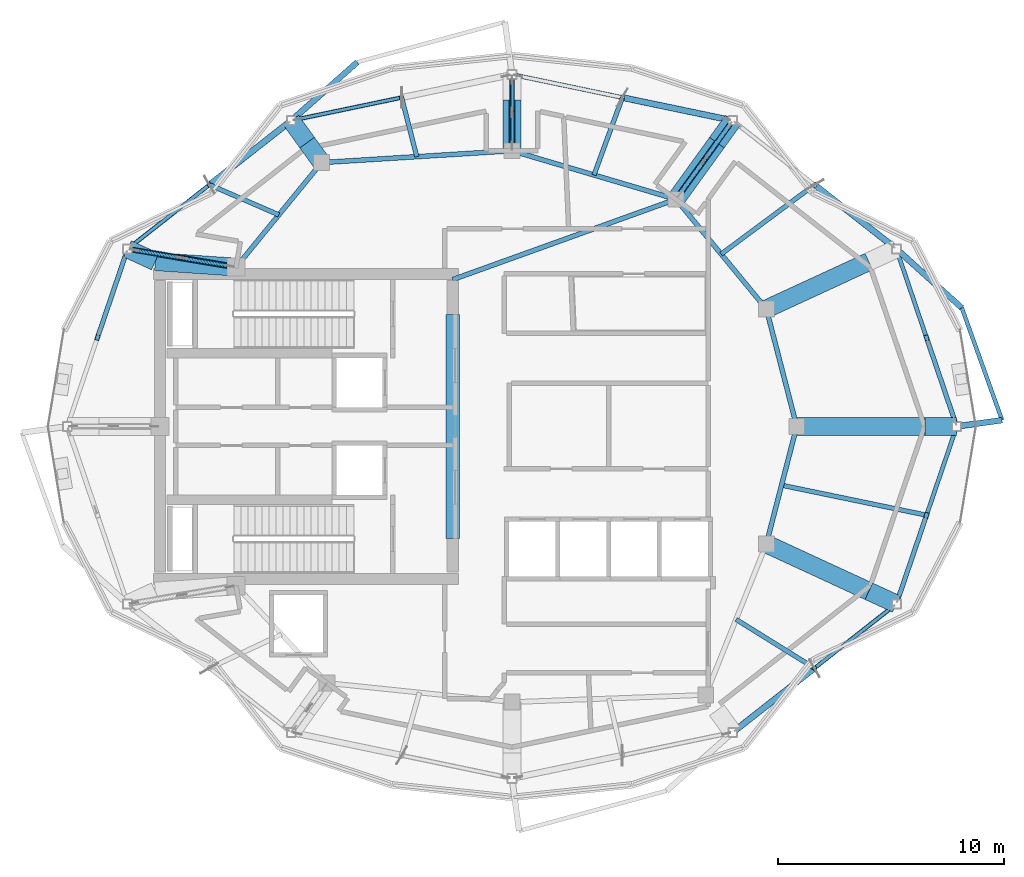
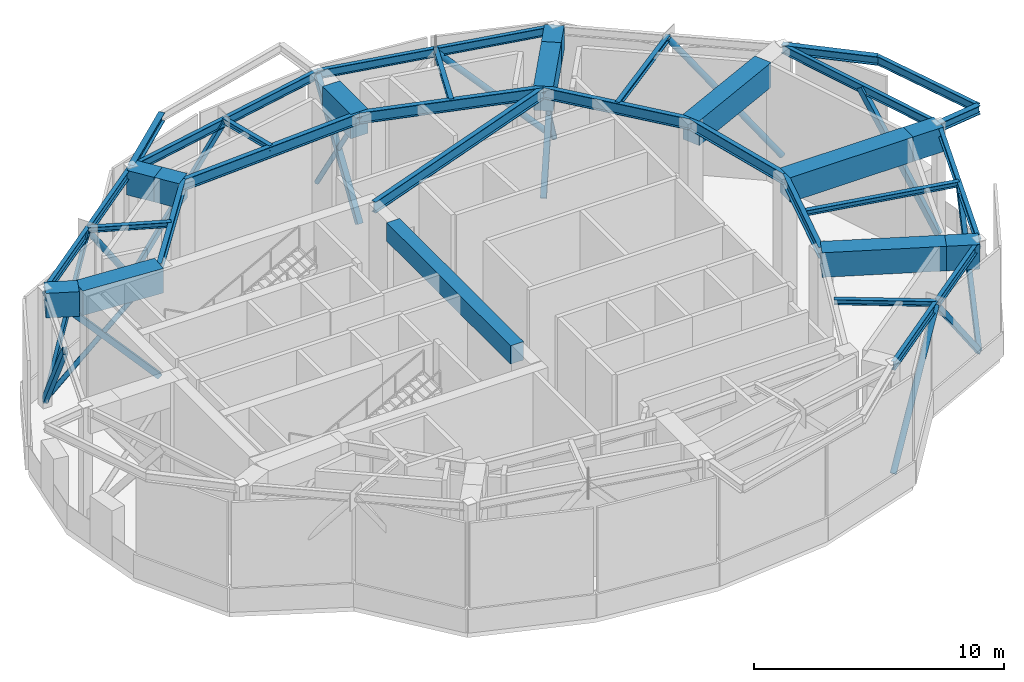
# One storey, part 2 of 9: 36 beams, 19 members.
"""IFC4 building model written with IfcOpenShell, lengths in metres."""

from ifc_helpers import new_model, si_unit, direction, frame, origin, origin_2d, place, context, subcontext, project, spatial, rectangle, hollow_rectangle, hollow_circle, i_section, extrude, material, material_profile, profile_set, type_object, element, save


model = new_model("IFC4")

# Units and contexts
model_context = context("Model", 3, precision=1e-05, world=origin(), true_north=direction((0.0, 1.0)))
body_context = subcontext(model_context, "Body", "Model", "MODEL_VIEW")
ifc_project = project(units=[si_unit("LENGTHUNIT", "METRE"), si_unit("AREAUNIT", "SQUARE_METRE"), si_unit("VOLUMEUNIT", "CUBIC_METRE"), si_unit("PLANEANGLEUNIT", "RADIAN"), si_unit("MASSUNIT", "GRAM", prefix="KILO")], contexts=[model_context])

# Site, building, storey
site_placement = place(None, origin())
site = spatial("IfcSite", under=ifc_project, at=site_placement, CompositionType="ELEMENT")
building_placement = place(site_placement, origin())
building = spatial("IfcBuilding", under=site, at=building_placement, Name="Kolvaren Gate Tower and Convention Centre", CompositionType="ELEMENT")
storey_placement = place(building_placement, frame((0.0, 0.0, 275.60009765625)))
storey = spatial("IfcBuildingStorey", under=building, at=storey_placement, Name="L75", CompositionType="ELEMENT", Elevation=275.60009765625)

# Beams
ifc_material_1 = material(Name="Structural steel ASTM A992 Grade 345 MPa", Category="steel")
ifc_material_profile_1 = material_profile(ifc_material_1, i_section(OverallWidth=0.260009765625, OverallDepth=0.419921875, WebThickness=0.013427734375, FlangeThickness=0.0224609375, at=origin_2d()), Name="W410X132")
ifc_profile_set_1 = profile_set([ifc_material_profile_1], Name="Structural steel ASTM A992 Grade 345 MPa")
beam_type_1 = type_object("IfcBeamType", Name="STR-BM-W410X132", PredefinedType="BEAM", material=ifc_profile_set_1)
beam_1_placement = place(storey_placement, frame((49.80615234375, 27.0, 5.510498046875), z_axis=(0.99050321622, 0.137489558359, 0.0), x_axis=(-0.137489558359, 0.99050321622, 0.0)))
element("IfcBeam", 1, at=beam_1_placement, inside=storey, type_object=beam_type_1, Name="Tower L76 Planted Balcony Outrigger Cantilever BC-1A", PredefinedType="BEAM", context=body_context, shape_type="SweptSolid", body=[
    extrude(i_section(OverallWidth=0.260009765625, OverallDepth=0.419921875, WebThickness=0.013427734375, FlangeThickness=0.0224609375, at=origin_2d()), origin(), (0.0, 0.0, 1.0), 2.026123046875),
])
beam_2_placement = place(storey_placement, frame((47.1337890625, 34.856201171875, 5.510498046875), z_axis=(0.74313537495, -0.669141102084, 0.0), x_axis=(0.669141102084, 0.74313537495, 0.0)))
element("IfcBeam", 2, at=beam_2_placement, inside=storey, type_object=beam_type_1, Name="Tower L76 Planted Balcony Outrigger Cantilever BC-1B", PredefinedType="BEAM", context=body_context, shape_type="SweptSolid", body=[
    extrude(i_section(OverallWidth=0.260009765625, OverallDepth=0.419921875, WebThickness=0.013427734375, FlangeThickness=0.0224609375, at=origin_2d()), origin(), (0.0, 0.0, 1.0), 3.89990234375),
])
beam_3_placement = place(storey_placement, frame((20.356689453125, 40.53515625, 5.510498046875), z_axis=(0.748802968769, 0.662792662876, 0.0), x_axis=(-0.662792662876, 0.748802968769, 0.0)))
element("IfcBeam", 3, at=beam_3_placement, inside=storey, type_object=beam_type_1, Name="Tower L76 Planted Balcony Outrigger Cantilever BC-2B", PredefinedType="BEAM", context=body_context, shape_type="SweptSolid", body=[
    extrude(i_section(OverallWidth=0.260009765625, OverallDepth=0.419921875, WebThickness=0.013427734375, FlangeThickness=0.0224609375, at=origin_2d()), origin(), (0.0, 0.0, 1.0), 3.900146484375),
])
ifc_material_profile_2 = material_profile(ifc_material_1, i_section(OverallWidth=0.2119140625, OverallDepth=0.5439453125, WebThickness=0.01318359375, FlangeThickness=0.021240234375, at=origin_2d()), Name="W530X123")
ifc_profile_set_2 = profile_set([ifc_material_profile_2], Name="Structural steel ASTM A992 Grade 345 MPa")
beam_type_2 = type_object("IfcBeamType", Name="STR-BM-W530X123", PredefinedType="BEAM", material=ifc_profile_set_2)
beam_4_placement = place(storey_placement, frame((42.72509765625, 27.0, 5.447998046875), z_axis=(-0.250091133936, -0.968222301296, 0.0), x_axis=(0.968222301296, -0.250091133936, 0.0)))
element("IfcBeam", 4, at=beam_4_placement, inside=storey, type_object=beam_type_2, Name="Tower L75 Primary Ring Girder G-01", PredefinedType="BEAM", context=body_context, shape_type="SweptSolid", body=[
    extrude(i_section(OverallWidth=0.2119140625, OverallDepth=0.5439453125, WebThickness=0.01318359375, FlangeThickness=0.021240234375, at=origin_2d()), origin(), (0.0, 0.0, 1.0), 5.3701171875),
])
beam_5_placement = place(storey_placement, frame((41.382080078125, 32.199462890625, 5.447998046875), z_axis=(-0.635884066011, 0.771784590798, 0.0), x_axis=(-0.771784590798, -0.635884066011, 0.0)))
element("IfcBeam", 5, at=beam_5_placement, inside=storey, type_object=beam_type_2, Name="Tower L75 Primary Ring Girder G-02", PredefinedType="BEAM", context=body_context, shape_type="SweptSolid", body=[
    extrude(i_section(OverallWidth=0.2119140625, OverallDepth=0.5439453125, WebThickness=0.01318359375, FlangeThickness=0.021240234375, at=origin_2d()), origin(), (0.0, 0.0, 1.0), 6.291259765625),
])
beam_6_placement = place(storey_placement, frame((37.381591796875, 37.054931640625, 5.447998046875), z_axis=(-0.958980837827, 0.283470902706, 0.0), x_axis=(-0.283470902706, -0.958980837827, 0.0)))
element("IfcBeam", 6, at=beam_6_placement, inside=storey, type_object=beam_type_2, Name="Tower L75 Primary Ring Girder G-03", PredefinedType="BEAM", context=body_context, shape_type="SweptSolid", body=[
    extrude(i_section(OverallWidth=0.2119140625, OverallDepth=0.5439453125, WebThickness=0.01318359375, FlangeThickness=0.021240234375, at=origin_2d()), origin(), (0.0, 0.0, 1.0), 7.56689453125),
])
beam_7_placement = place(storey_placement, frame((30.125, 39.199951171875, 5.447998046875), z_axis=(-0.998078258568, -0.06196603726, 0.0), x_axis=(0.06196603726, -0.998078258568, 0.0)))
element("IfcBeam", 7, at=beam_7_placement, inside=storey, type_object=beam_type_2, Name="Tower L75 Primary Ring Girder G-04", PredefinedType="BEAM", context=body_context, shape_type="SweptSolid", body=[
    extrude(i_section(OverallWidth=0.2119140625, OverallDepth=0.5439453125, WebThickness=0.01318359375, FlangeThickness=0.021240234375, at=origin_2d()), origin(), (0.0, 0.0, 1.0), 8.443115234375),
])
beam_8_placement = place(storey_placement, frame((21.697998046875, 38.6767578125, 5.447998046875), z_axis=(-0.633082074904, -0.774084676528, 0.0), x_axis=(0.774084676528, -0.633082074904, 0.0)))
element("IfcBeam", 8, at=beam_8_placement, inside=storey, type_object=beam_type_2, Name="Tower L75 Primary Ring Girder G-05", PredefinedType="BEAM", context=body_context, shape_type="SweptSolid", body=[
    extrude(i_section(OverallWidth=0.2119140625, OverallDepth=0.5439453125, WebThickness=0.01318359375, FlangeThickness=0.021240234375, at=origin_2d()), origin(), (0.0, 0.0, 1.0), 5.97705078125),
])
beam_9_placement = place(storey_placement, frame((27.5, 33.5, 5.447998046875), z_axis=(0.940961479908, 0.338513653093, 0.0), x_axis=(-0.338513653093, 0.940961479908, 0.0)))
element("IfcBeam", 9, at=beam_9_placement, inside=storey, type_object=beam_type_2, Name="Tower L75 Primary Ring Girder G-10", PredefinedType="BEAM", context=body_context, shape_type="SweptSolid", body=[
    extrude(i_section(OverallWidth=0.2119140625, OverallDepth=0.5439453125, WebThickness=0.01318359375, FlangeThickness=0.021240234375, at=origin_2d()), origin(), (0.0, 0.0, 1.0), 10.501708984375),
])
beam_10_placement = place(storey_placement, frame((42.72509765625, 27.0, 5.447998046875), z_axis=(-0.250091133936, 0.968222301296, 0.0), x_axis=(-0.968222301296, -0.250091133936, 0.0)))
element("IfcBeam", 10, at=beam_10_placement, inside=storey, type_object=beam_type_2, Name="Tower L75 Primary Ring Girder G-12", PredefinedType="BEAM", context=body_context, shape_type="SweptSolid", body=[
    extrude(i_section(OverallWidth=0.2119140625, OverallDepth=0.5439453125, WebThickness=0.01318359375, FlangeThickness=0.021240234375, at=origin_2d()), origin(), (0.0, 0.0, 1.0), 5.3701171875),
])

# Members
ifc_material_2 = material(Name="Structural steel ASTM A500 Grade C 345 MPa", Category="steel")
ifc_material_profile_3 = material_profile(ifc_material_2, hollow_circle(Radius=0.136474609375, WallThickness=0.0126953125, at=origin_2d()), Name="CHS273X12.7")
ifc_profile_set_3 = profile_set([ifc_material_profile_3], Name="Structural steel ASTM A500 Grade C 345 MPa")
member_type_1 = type_object("IfcMemberType", Name="STR-BR-CHS273", PredefinedType="BRACE", material=ifc_profile_set_3)
member_1_placement = place(storey_placement, frame((47.1337890625, 34.856201171875, 0.25), z_axis=(-0.517969593564, 0.406265044355, 0.752765709818), x_axis=(-0.617153462445, -0.786842807549, 0.0)))
element("IfcMember", 11, at=member_1_placement, inside=storey, type_object=member_type_1, Name="Perimeter Belt Truss Diagonal BT-L75-02A", PredefinedType="BRACE", context=body_context, shape_type="SweptSolid", body=[
    extrude(hollow_circle(Radius=0.136474609375, WallThickness=0.0126953125, at=origin_2d()), origin(), (0.0, 0.0, 1.0), 6.989501953125),
])
member_2_placement = place(storey_placement, frame((39.893310546875, 40.53515625, 0.25), z_axis=(-0.673583098972, 0.140669308583, 0.725601787761), x_axis=(-0.204427078939, -0.978881795416, 0.0)))
element("IfcMember", 12, at=member_2_placement, inside=storey, type_object=member_type_1, Name="Perimeter Belt Truss Diagonal BT-L75-03A", PredefinedType="BRACE", context=body_context, shape_type="SweptSolid", body=[
    extrude(hollow_circle(Radius=0.136474609375, WallThickness=0.0126953125, at=origin_2d()), origin(), (0.0, 0.0, 1.0), 7.251220703125),
])
for number, where, z_axis, x_axis, name in (
    (13, (20.356689453125, 40.53515625, 0.25), (-0.517951384753, -0.406243229342, 0.752790011654), (0.617146377238, -0.78684836472, 0.0), "Perimeter Belt Truss Diagonal BT-L75-05A"),
    (14, (39.893310546875, 13.46484375, 0.25), (0.517951384753, 0.406243229342, 0.752790011654), (-0.617146377238, 0.78684836472, 0.0), "Perimeter Belt Truss Diagonal BT-L75-11A"),
):
    element("IfcMember", number, at=place(storey_placement, frame(where, z_axis=z_axis, x_axis=x_axis)), inside=storey, type_object=member_type_1, Name=name, PredefinedType="BRACE", context=body_context, shape_type="SweptSolid", body=[
        extrude(hollow_circle(Radius=0.136474609375, WallThickness=0.0126953125, at=origin_2d()), origin(), (0.0, 0.0, 1.0), 6.9892578125),
    ])
ifc_material_profile_4 = material_profile(ifc_material_2, hollow_rectangle(XDim=0.152099609375, YDim=0.25390625, WallThickness=0.009521484375, at=origin_2d()), Name="HSS254X152X9.5")
ifc_profile_set_4 = profile_set([ifc_material_profile_4], Name="Structural steel ASTM A500 Grade C 345 MPa")
member_type_2 = type_object("IfcMemberType", Name="STR-BR-HSS254X152", PredefinedType="BRACE", material=ifc_profile_set_4)
member_3_placement = place(storey_placement, frame((20.356689453125, 40.53515625, 0.25), z_axis=(0.673583098972, 0.140669308583, 0.725601787761), x_axis=(-0.204427078939, 0.978881795416, 0.0)))
element("IfcMember", 15, at=member_3_placement, inside=storey, type_object=member_type_2, Name="Perimeter Belt Truss Diagonal BT-L75-04B", PredefinedType="BRACE", context=body_context, shape_type="SweptSolid", body=[
    extrude(hollow_rectangle(XDim=0.152099609375, YDim=0.25390625, WallThickness=0.009521484375, at=origin_2d()), origin(), (0.0, 0.0, 1.0), 7.251220703125),
])
for number, where, z_axis, x_axis, name in (
    (16, (13.1162109375, 34.856201171875, 0.25), (0.517969593564, 0.406265044355, 0.752765709818), (-0.617153462445, 0.786842807549, 0.0), "Perimeter Belt Truss Diagonal BT-L75-05B"),
    (17, (47.1337890625, 19.143798828125, 0.25), (-0.517969593564, -0.406265044355, 0.752765709818), (0.617153462445, -0.786842807549, 0.0), "Perimeter Belt Truss Diagonal BT-L75-11B"),
):
    element("IfcMember", number, at=place(storey_placement, frame(where, z_axis=z_axis, x_axis=x_axis)), inside=storey, type_object=member_type_2, Name=name, PredefinedType="BRACE", context=body_context, shape_type="SweptSolid", body=[
        extrude(hollow_rectangle(XDim=0.152099609375, YDim=0.25390625, WallThickness=0.009521484375, at=origin_2d()), origin(), (0.0, 0.0, 1.0), 6.989501953125),
    ])
ifc_material_profile_5 = material_profile(ifc_material_2, hollow_rectangle(XDim=0.25390625, YDim=0.25390625, WallThickness=0.015869140625, at=origin_2d()), Name="HSS254X254X15.9")
ifc_profile_set_5 = profile_set([ifc_material_profile_5], Name="Structural steel ASTM A500 Grade C 345 MPa")
member_type_3 = type_object("IfcMemberType", Name="STR-BR-HSS254X254", PredefinedType="BRACE", material=ifc_profile_set_5)
member_4_placement = place(storey_placement, frame((17.9140625, 34.050048828125, 0.25), z_axis=(-0.669524594316, 0.112495939875, 0.734221683906), x_axis=(-0.165700862749, -0.986176061403, 0.0)))
element("IfcMember", 18, at=member_4_placement, inside=storey, type_object=member_type_3, Name="Outrigger Truss Diagonal OT-L75-01A", PredefinedType="BRACE", context=body_context, shape_type="SweptSolid", body=[
    extrude(hollow_rectangle(XDim=0.25390625, YDim=0.25390625, WallThickness=0.015869140625, at=origin_2d()), origin(), (0.0, 0.0, 1.0), 7.166015625),
])
member_5_placement = place(storey_placement, frame((37.381591796875, 37.054931640625, 0.25), z_axis=(0.369915561681, 0.512553103787, 0.774888245507), x_axis=(-0.810875679228, 0.585218448818, 0.0)))
element("IfcMember", 19, at=member_5_placement, inside=storey, type_object=member_type_3, Name="Outrigger Truss Diagonal OT-L75-04A", PredefinedType="BRACE", context=body_context, shape_type="SweptSolid", body=[
    extrude(hollow_rectangle(XDim=0.25390625, YDim=0.25390625, WallThickness=0.015869140625, at=origin_2d()), origin(), (0.0, 0.0, 1.0), 6.7900390625),
])
member_6_placement = place(storey_placement, frame((30.125, 39.199951171875, 0.25), z_axis=(0.0, 0.539922325433, 0.841714846311), x_axis=(-1.0, 0.0, 0.0)))
element("IfcMember", 20, at=member_6_placement, inside=storey, type_object=member_type_3, Name="Outrigger Truss Diagonal OT-L75-05A", PredefinedType="BRACE", context=body_context, shape_type="SweptSolid", body=[
    extrude(hollow_rectangle(XDim=0.25390625, YDim=0.25390625, WallThickness=0.015869140625, at=origin_2d()), origin(), (0.0, 0.0, 1.0), 6.2509765625),
])

# Beams
ifc_material_profile_6 = material_profile(ifc_material_1, i_section(OverallWidth=0.202880859375, OverallDepth=0.251953125, WebThickness=0.008056640625, FlangeThickness=0.013427734375, at=origin_2d()), Name="W250X58")
ifc_profile_set_6 = profile_set([ifc_material_profile_6], Name="Structural steel ASTM A992 Grade 345 MPa")
beam_type_3 = type_object("IfcBeamType", Name="STR-JS-W250X58", PredefinedType="JOIST", material=ifc_profile_set_6)
beam_11_placement = place(storey_placement, frame((39.3818359375, 34.627197265625, 5.593994140625), z_axis=(0.802797696216, 0.596251506455, 0.0), x_axis=(-0.596251506455, 0.802797696216, 0.0)))
element("IfcBeam", 21, at=beam_11_placement, inside=storey, type_object=beam_type_3, Name="Tower L75 Secondary Composite Floor Joist J-02.1", PredefinedType="JOIST", context=body_context, shape_type="SweptSolid", body=[
    extrude(i_section(OverallWidth=0.202880859375, OverallDepth=0.251953125, WebThickness=0.008056640625, FlangeThickness=0.013427734375, at=origin_2d()), origin(), (0.0, 0.0, 1.0), 5.146484375),
])
beam_12_placement = place(storey_placement, frame((33.75341796875, 38.12744140625, 5.593994140625), z_axis=(0.343959865764, 0.938984350638, 0.0), x_axis=(-0.938984350638, 0.343959865764, 0.0)))
element("IfcBeam", 22, at=beam_12_placement, inside=storey, type_object=beam_type_3, Name="Tower L75 Secondary Composite Floor Joist J-03.1", PredefinedType="JOIST", context=body_context, shape_type="SweptSolid", body=[
    extrude(i_section(OverallWidth=0.202880859375, OverallDepth=0.251953125, WebThickness=0.008056640625, FlangeThickness=0.013427734375, at=origin_2d()), origin(), (0.0, 0.0, 1.0), 3.650390625),
])
beam_13_placement = place(storey_placement, frame((25.91162109375, 38.938232421875, 5.593994140625), z_axis=(-0.248251414505, 0.968695635995, 0.0), x_axis=(-0.968695635995, -0.248251414505, 0.0)))
element("IfcBeam", 23, at=beam_13_placement, inside=storey, type_object=beam_type_3, Name="Tower L75 Secondary Composite Floor Joist J-04.1", PredefinedType="JOIST", context=body_context, shape_type="SweptSolid", body=[
    extrude(i_section(OverallWidth=0.202880859375, OverallDepth=0.251953125, WebThickness=0.008056640625, FlangeThickness=0.013427734375, at=origin_2d()), origin(), (0.0, 0.0, 1.0), 2.701416015625),
])
beam_14_placement = place(storey_placement, frame((19.805908203125, 36.36328125, 5.593994140625), z_axis=(-0.917285677822, 0.398229814632, 0.0), x_axis=(-0.398229814632, -0.917285677822, 0.0)))
element("IfcBeam", 24, at=beam_14_placement, inside=storey, type_object=beam_type_3, Name="Tower L75 Secondary Composite Floor Joist J-05.1", PredefinedType="JOIST", context=body_context, shape_type="SweptSolid", body=[
    extrude(i_section(OverallWidth=0.202880859375, OverallDepth=0.251953125, WebThickness=0.008056640625, FlangeThickness=0.013427734375, at=origin_2d()), origin(), (0.0, 0.0, 1.0), 3.34619140625),
])
beam_15_placement = place(storey_placement, frame((40.040283203125, 18.46044921875, 5.593994140625), z_axis=(0.849584798243, -0.527452055257, 0.0), x_axis=(0.527452055257, 0.849584798243, 0.0)))
element("IfcBeam", 25, at=beam_15_placement, inside=storey, type_object=beam_type_3, Name="Tower L75 Secondary Composite Floor Joist J-11.1", PredefinedType="JOIST", context=body_context, shape_type="SweptSolid", body=[
    extrude(i_section(OverallWidth=0.202880859375, OverallDepth=0.251953125, WebThickness=0.008056640625, FlangeThickness=0.013427734375, at=origin_2d()), origin(), (0.0, 0.0, 1.0), 4.088134765625),
])
beam_16_placement = place(storey_placement, frame((42.0537109375, 24.400146484375, 5.593994140625), z_axis=(0.97924155137, -0.20269677864, 0.0), x_axis=(0.20269677864, 0.97924155137, 0.0)))
element("IfcBeam", 26, at=beam_16_placement, inside=storey, type_object=beam_type_3, Name="Tower L75 Secondary Composite Floor Joist J-12.1", PredefinedType="JOIST", context=body_context, shape_type="SweptSolid", body=[
    extrude(i_section(OverallWidth=0.202880859375, OverallDepth=0.251953125, WebThickness=0.008056640625, FlangeThickness=0.013427734375, at=origin_2d()), origin(), (0.0, 0.0, 1.0), 6.55224609375),
])
ifc_material_3 = material(Name="Concrete C60/75", Category="concrete")
ifc_material_profile_7 = material_profile(ifc_material_3, rectangle(XDim=0.60009765625, YDim=0.89990234375, at=origin_2d()), Name="RC-BM-600X900")
ifc_profile_set_7 = profile_set([ifc_material_profile_7], Name="Concrete C60/75")
beam_type_4 = type_object("IfcBeamType", Name="STR-LN-RC600X900", PredefinedType="LINTEL", material=ifc_profile_set_7)
beam_17_placement = place(storey_placement, frame((27.5, 22.050048828125, 5.27001953125), z_axis=(0.0, 1.0, 0.0), x_axis=(-1.0, 0.0, 0.0)))
element("IfcBeam", 27, at=beam_17_placement, inside=storey, type_object=beam_type_4, Name="Tower L75 Core Ductile Coupling Beam CB-01", PredefinedType="LINTEL", context=body_context, shape_type="SweptSolid", body=[
    extrude(rectangle(XDim=0.60009765625, YDim=0.89990234375, at=origin_2d()), origin(), (0.0, 0.0, 1.0), 9.89990234375),
])
ifc_material_profile_8 = material_profile(ifc_material_1, i_section(OverallWidth=0.180908203125, OverallDepth=0.4169921875, WebThickness=0.010986328125, FlangeThickness=0.018310546875, at=origin_2d()), Name="W410X85")
ifc_profile_set_8 = profile_set([ifc_material_profile_8], Name="Structural steel ASTM A992 Grade 345 MPa")
beam_type_5 = type_object("IfcBeamType", Name="STR-SP-W410X85", PredefinedType="SPANDREL", material=ifc_profile_set_8)
beam_18_placement = place(storey_placement, frame((49.80615234375, 27.0, 5.511474609375), z_axis=(-0.322038282171, 0.946726647357, 0.0), x_axis=(-0.946726647357, -0.322038282171, 0.0)))
element("IfcBeam", 28, at=beam_18_placement, inside=storey, type_object=beam_type_5, Name="Tower L75 Perimeter Spandrel Beam SP-01", PredefinedType="SPANDREL", context=body_context, shape_type="SweptSolid", body=[
    extrude(i_section(OverallWidth=0.180908203125, OverallDepth=0.4169921875, WebThickness=0.010986328125, FlangeThickness=0.018310546875, at=origin_2d()), origin(), (0.0, 0.0, 1.0), 8.29833984375),
])
for number, where, z_axis, x_axis, name in (
    (29, (39.893310546875, 40.53515625, 5.511474609375), (-0.978885668593, 0.204408531681, 0.0), (-0.204408531681, -0.978885668593, 0.0), "Tower L75 Perimeter Spandrel Beam SP-03"),
    (30, (30.125, 42.574951171875, 5.511474609375), (-0.978885668593, -0.204408531681, 0.0), (0.204408531681, -0.978885668593, 0.0), "Tower L75 Perimeter Spandrel Beam SP-04"),
):
    element("IfcBeam", number, at=place(storey_placement, frame(where, z_axis=z_axis, x_axis=x_axis)), inside=storey, type_object=beam_type_5, Name=name, PredefinedType="SPANDREL", context=body_context, shape_type="SweptSolid", body=[
        extrude(i_section(OverallWidth=0.180908203125, OverallDepth=0.4169921875, WebThickness=0.010986328125, FlangeThickness=0.018310546875, at=origin_2d()), origin(), (0.0, 0.0, 1.0), 9.97900390625),
    ])
for number, where, z_axis, x_axis, name in (
    (31, (20.356689453125, 40.53515625, 5.511474609375), (-0.786845586039, -0.61714991998, 0.0), (0.61714991998, -0.786845586039, 0.0), "Tower L75 Perimeter Spandrel Beam SP-05"),
    (32, (39.893310546875, 13.46484375, 5.511474609375), (0.786845586039, 0.61714991998, 0.0), (-0.61714991998, 0.786845586039, 0.0), "Tower L75 Perimeter Spandrel Beam SP-11"),
):
    element("IfcBeam", number, at=place(storey_placement, frame(where, z_axis=z_axis, x_axis=x_axis)), inside=storey, type_object=beam_type_5, Name=name, PredefinedType="SPANDREL", context=body_context, shape_type="SweptSolid", body=[
        extrude(i_section(OverallWidth=0.180908203125, OverallDepth=0.4169921875, WebThickness=0.010986328125, FlangeThickness=0.018310546875, at=origin_2d()), origin(), (0.0, 0.0, 1.0), 9.201904296875),
    ])
beam_19_placement = place(storey_placement, frame((47.1337890625, 19.143798828125, 5.511474609375), z_axis=(0.322038282171, 0.946726647357, 0.0), x_axis=(-0.946726647357, 0.322038282171, 0.0)))
element("IfcBeam", 33, at=beam_19_placement, inside=storey, type_object=beam_type_5, Name="Tower L75 Perimeter Spandrel Beam SP-12", PredefinedType="SPANDREL", context=body_context, shape_type="SweptSolid", body=[
    extrude(i_section(OverallWidth=0.180908203125, OverallDepth=0.4169921875, WebThickness=0.010986328125, FlangeThickness=0.018310546875, at=origin_2d()), origin(), (0.0, 0.0, 1.0), 8.29833984375),
])
beam_20_placement = place(storey_placement, frame((51.81298828125, 27.278564453125, 5.511962890625), z_axis=(-0.337464389535, 0.941338295086, 0.0), x_axis=(-0.941338295086, -0.337464389535, 0.0)))
element("IfcBeam", 34, at=beam_20_placement, inside=storey, type_object=beam_type_5, Name="Tower L76 Planted Balcony Header Tie Beam BT-1", PredefinedType="SPANDREL", context=body_context, shape_type="SweptSolid", body=[
    extrude(i_section(OverallWidth=0.180908203125, OverallDepth=0.4169921875, WebThickness=0.010986328125, FlangeThickness=0.018310546875, at=origin_2d()), origin(), (0.0, 0.0, 1.0), 5.277587890625),
])

# Members
ifc_material_profile_9 = material_profile(ifc_material_2, hollow_circle(Radius=0.109619140625, WallThickness=0.0126953125, at=origin_2d()), Name="CHS219X12.7")
ifc_profile_set_9 = profile_set([ifc_material_profile_9], Name="Structural steel ASTM A500 Grade C 345 MPa")
member_type_4 = type_object("IfcMemberType", Name="STR-ST-CHS219", PredefinedType="STRUT", material=ifc_profile_set_9)
for number, where, z_axis, x_axis, name in (
    (35, (13.1162109375, 34.856201171875, 0.25), (0.669536208235, -0.112566030532, 0.734200350472), (0.165798468583, 0.986159656352, 0.0), "Outrigger Truss Lower Counter-Strut OT-L75-01BA"),
    (36, (15.51513671875, 34.452880859375, 2.880615234375), (0.669512977117, -0.112425851032, 0.734243012559), (0.165603252046, 0.986192457339, 0.0), "Outrigger Truss Upper Counter-Strut OT-L75-01BB"),
):
    element("IfcMember", number, at=place(storey_placement, frame(where, z_axis=z_axis, x_axis=x_axis)), inside=storey, type_object=member_type_4, Name=name, PredefinedType="STRUT", context=body_context, shape_type="SweptSolid", body=[
        extrude(hollow_circle(Radius=0.109619140625, WallThickness=0.0126953125, at=origin_2d()), origin(), (0.0, 0.0, 1.0), 3.5830078125),
    ])
for number, where, z_axis, x_axis, name in (
    (37, (39.893310546875, 40.53515625, 0.25), (-0.369994757517, -0.512527237478, 0.774867543683), (0.810802205794, -0.585320239766, 0.0), "Outrigger Truss Lower Counter-Strut OT-L75-04BA"),
    (38, (38.63720703125, 38.795166015625, 2.880615234375), (-0.369836366237, -0.512578965299, 0.774908940806), (0.810949142887, -0.585116644482, 0.0), "Outrigger Truss Upper Counter-Strut OT-L75-04BB"),
):
    element("IfcMember", number, at=place(storey_placement, frame(where, z_axis=z_axis, x_axis=x_axis)), inside=storey, type_object=member_type_4, Name=name, PredefinedType="STRUT", context=body_context, shape_type="SweptSolid", body=[
        extrude(hollow_circle(Radius=0.109619140625, WallThickness=0.0126953125, at=origin_2d()), origin(), (0.0, 0.0, 1.0), 3.39501953125),
    ])
member_7_placement = place(storey_placement, frame((30.125, 42.574951171875, 0.25), z_axis=(0.0, -0.539940075711, 0.841703460039), x_axis=(1.0, 0.0, 0.0)))
element("IfcMember", 39, at=member_7_placement, inside=storey, type_object=member_type_4, Name="Outrigger Truss Lower Counter-Strut OT-L75-05BA", PredefinedType="STRUT", context=body_context, shape_type="SweptSolid", body=[
    extrude(hollow_circle(Radius=0.109619140625, WallThickness=0.0126953125, at=origin_2d()), origin(), (0.0, 0.0, 1.0), 3.125244140625),
])
member_8_placement = place(storey_placement, frame((30.125, 40.887451171875, 2.880615234375), z_axis=(0.0, -0.539904576081, 0.841726231459), x_axis=(1.0, 0.0, 0.0)))
element("IfcMember", 40, at=member_8_placement, inside=storey, type_object=member_type_4, Name="Outrigger Truss Upper Counter-Strut OT-L75-05BB", PredefinedType="STRUT", context=body_context, shape_type="SweptSolid", body=[
    extrude(hollow_circle(Radius=0.109619140625, WallThickness=0.0126953125, at=origin_2d()), origin(), (0.0, 0.0, 1.0), 3.12548828125),
])
ifc_material_profile_10 = material_profile(ifc_material_2, hollow_rectangle(XDim=0.202880859375, YDim=0.304931640625, WallThickness=0.0126953125, at=origin_2d()), Name="HSS305X203X12.7")
ifc_profile_set_10 = profile_set([ifc_material_profile_10], Name="Structural steel ASTM A500 Grade C 345 MPa")
member_type_5 = type_object("IfcMemberType", Name="STR-ST-HSS305X203", PredefinedType="STRUT", material=ifc_profile_set_10)
member_9_placement = place(storey_placement, frame((49.80615234375, 27.0, 0.25), z_axis=(-0.199413411908, 0.58621640493, 0.785229022478), x_axis=(-0.946723596055, -0.322047252235, 0.0)))
element("IfcMember", 41, at=member_9_placement, inside=storey, type_object=member_type_5, Name="Turbine Slot Structural Portal Strut PS-01", PredefinedType="STRUT", context=body_context, shape_type="SweptSolid", body=[
    extrude(hollow_rectangle(XDim=0.202880859375, YDim=0.304931640625, WallThickness=0.0126953125, at=origin_2d()), origin(), (0.0, 0.0, 1.0), 6.700439453125),
])
for number, where, z_axis, x_axis, name in (
    (42, (13.1162109375, 34.856201171875, 0.25), (-0.199409152582, -0.586240318847, 0.785212250557), (0.946729698404, -0.322029312577, 0.0), "Turbine Slot Structural Portal Strut PS-06"),
    (43, (47.1337890625, 19.143798828125, 0.25), (0.199409152582, 0.586240318847, 0.785212250557), (-0.946729698404, 0.322029312577, 0.0), "Turbine Slot Structural Portal Strut PS-12"),
):
    element("IfcMember", number, at=place(storey_placement, frame(where, z_axis=z_axis, x_axis=x_axis)), inside=storey, type_object=member_type_5, Name=name, PredefinedType="STRUT", context=body_context, shape_type="SweptSolid", body=[
        extrude(hollow_rectangle(XDim=0.202880859375, YDim=0.304931640625, WallThickness=0.0126953125, at=origin_2d()), origin(), (0.0, 0.0, 1.0), 6.70068359375),
    ])

# Beams
ifc_material_4 = material(Name="Concrete C70/85", Category="concrete")
ifc_material_profile_11 = material_profile(ifc_material_4, rectangle(XDim=0.800048828125, YDim=1.199951171875, at=origin_2d()), Name="RC-BM-800X1200")
ifc_profile_set_11 = profile_set([ifc_material_profile_11], Name="Concrete C70/85")
beam_type_6 = type_object("IfcBeamType", Name="STR-TG-RC800X1200", PredefinedType="USERDEFINED", material=ifc_profile_set_11)
beam_21_placement = place(storey_placement, frame((42.72509765625, 27.0, 5.120361328125), z_axis=(1.0, 0.0, 0.0), x_axis=(0.0, 1.0, 0.0)))
element("IfcBeam", 44, at=beam_21_placement, inside=storey, type_object=beam_type_6, Name="Tower L75 Zone-Transition Radial Transfer Girder XFG-01A", ObjectType="TRANSFER GIRDER", PredefinedType="USERDEFINED", context=body_context, shape_type="SweptSolid", body=[
    extrude(rectangle(XDim=0.800048828125, YDim=1.199951171875, at=origin_2d()), origin(), (0.0, 0.0, 1.0), 5.6748046875),
])
beam_22_placement = place(storey_placement, frame((48.39990234375, 27.0, 5.120361328125), z_axis=(1.0, 0.0, 0.0), x_axis=(0.0, 1.0, 0.0)))
element("IfcBeam", 45, at=beam_22_placement, inside=storey, type_object=beam_type_6, Name="Tower L75 Zone-Transition Radial Transfer Girder XFG-01B", ObjectType="TRANSFER GIRDER", PredefinedType="USERDEFINED", context=body_context, shape_type="SweptSolid", body=[
    extrude(rectangle(XDim=0.800048828125, YDim=1.199951171875, at=origin_2d()), origin(), (0.0, 0.0, 1.0), 1.40625),
])
beam_23_placement = place(storey_placement, frame((41.382080078125, 32.199462890625, 5.120361328125), z_axis=(0.907833436209, 0.419330957719, 0.0), x_axis=(-0.419330957719, 0.907833436209, 0.0)))
element("IfcBeam", 46, at=beam_23_placement, inside=storey, type_object=beam_type_6, Name="Tower L75 Zone-Transition Radial Transfer Girder XFG-02A", ObjectType="TRANSFER GIRDER", PredefinedType="USERDEFINED", context=body_context, shape_type="SweptSolid", body=[
    extrude(rectangle(XDim=0.800048828125, YDim=1.199951171875, at=origin_2d()), origin(), (0.0, 0.0, 1.0), 4.994140625),
])
beam_24_placement = place(storey_placement, frame((37.381591796875, 37.054931640625, 5.120361328125), z_axis=(0.58523669755, 0.810862508592, 0.0), x_axis=(-0.810862508592, 0.58523669755, 0.0)))
element("IfcBeam", 47, at=beam_24_placement, inside=storey, type_object=beam_type_6, Name="Tower L75 Zone-Transition Radial Transfer Girder XFG-03A", ObjectType="TRANSFER GIRDER", PredefinedType="USERDEFINED", context=body_context, shape_type="SweptSolid", body=[
    extrude(rectangle(XDim=0.800048828125, YDim=1.199951171875, at=origin_2d()), origin(), (0.0, 0.0, 1.0), 3.09033203125),
])
beam_25_placement = place(storey_placement, frame((39.190185546875, 39.560791015625, 5.120361328125), z_axis=(0.58517151289, 0.810909551369, 0.0), x_axis=(-0.810909551369, 0.58517151289, 0.0)))
element("IfcBeam", 48, at=beam_25_placement, inside=storey, type_object=beam_type_6, Name="Tower L75 Zone-Transition Radial Transfer Girder XFG-03B", ObjectType="TRANSFER GIRDER", PredefinedType="USERDEFINED", context=body_context, shape_type="SweptSolid", body=[
    extrude(rectangle(XDim=0.800048828125, YDim=1.199951171875, at=origin_2d()), origin(), (0.0, 0.0, 1.0), 1.20166015625),
])
beam_26_placement = place(storey_placement, frame((30.125, 39.199951171875, 5.120361328125), z_axis=(0.0, 1.0, 0.0), x_axis=(-1.0, 0.0, 0.0)))
element("IfcBeam", 49, at=beam_26_placement, inside=storey, type_object=beam_type_6, Name="Tower L75 Zone-Transition Radial Transfer Girder XFG-04A", ObjectType="TRANSFER GIRDER", PredefinedType="USERDEFINED", context=body_context, shape_type="SweptSolid", body=[
    extrude(rectangle(XDim=0.800048828125, YDim=1.199951171875, at=origin_2d()), origin(), (0.0, 0.0, 1.0), 2.25),
])
beam_27_placement = place(storey_placement, frame((21.697998046875, 38.6767578125, 5.120361328125), z_axis=(-0.585318855928, 0.810803204788, 0.0), x_axis=(-0.810803204788, -0.585318855928, 0.0)))
element("IfcBeam", 50, at=beam_27_placement, inside=storey, type_object=beam_type_6, Name="Tower L75 Zone-Transition Radial Transfer Girder XFG-05A", ObjectType="TRANSFER GIRDER", PredefinedType="USERDEFINED", context=body_context, shape_type="SweptSolid", body=[
    extrude(rectangle(XDim=0.800048828125, YDim=1.199951171875, at=origin_2d()), origin(), (0.0, 0.0, 1.0), 1.09033203125),
])
beam_28_placement = place(storey_placement, frame((21.059814453125, 39.560791015625, 5.120361328125), z_axis=(-0.58517151289, 0.810909551369, 0.0), x_axis=(-0.810909551369, -0.58517151289, 0.0)))
element("IfcBeam", 51, at=beam_28_placement, inside=storey, type_object=beam_type_6, Name="Tower L75 Zone-Transition Radial Transfer Girder XFG-05B", ObjectType="TRANSFER GIRDER", PredefinedType="USERDEFINED", context=body_context, shape_type="SweptSolid", body=[
    extrude(rectangle(XDim=0.800048828125, YDim=1.199951171875, at=origin_2d()), origin(), (0.0, 0.0, 1.0), 1.20166015625),
])
beam_29_placement = place(storey_placement, frame((17.9140625, 34.050048828125, 5.120361328125), z_axis=(-0.997692080373, 0.067900756698, 0.0), x_axis=(-0.067900756698, -0.997692080373, 0.0)))
element("IfcBeam", 52, at=beam_29_placement, inside=storey, type_object=beam_type_6, Name="Tower L75 Zone-Transition Radial Transfer Girder XFG-06A", ObjectType="TRANSFER GIRDER", PredefinedType="USERDEFINED", context=body_context, shape_type="SweptSolid", body=[
    extrude(rectangle(XDim=0.800048828125, YDim=1.199951171875, at=origin_2d()), origin(), (0.0, 0.0, 1.0), 3.58837890625),
])
beam_30_placement = place(storey_placement, frame((14.333984375, 34.293701171875, 5.120361328125), z_axis=(-0.907831496162, 0.41933515781, 0.0), x_axis=(-0.41933515781, -0.907831496162, 0.0)))
element("IfcBeam", 53, at=beam_30_placement, inside=storey, type_object=beam_type_6, Name="Tower L75 Zone-Transition Radial Transfer Girder XFG-06B", ObjectType="TRANSFER GIRDER", PredefinedType="USERDEFINED", context=body_context, shape_type="SweptSolid", body=[
    extrude(rectangle(XDim=0.800048828125, YDim=1.199951171875, at=origin_2d()), origin(), (0.0, 0.0, 1.0), 1.34130859375),
])
beam_31_placement = place(storey_placement, frame((41.382080078125, 21.800537109375, 5.120361328125), z_axis=(0.907833436209, -0.419330957719, 0.0), x_axis=(0.419330957719, 0.907833436209, 0.0)))
element("IfcBeam", 54, at=beam_31_placement, inside=storey, type_object=beam_type_6, Name="Tower L75 Zone-Transition Radial Transfer Girder XFG-12A", ObjectType="TRANSFER GIRDER", PredefinedType="USERDEFINED", context=body_context, shape_type="SweptSolid", body=[
    extrude(rectangle(XDim=0.800048828125, YDim=1.199951171875, at=origin_2d()), origin(), (0.0, 0.0, 1.0), 4.994140625),
])
beam_32_placement = place(storey_placement, frame((45.916015625, 19.706298828125, 5.120361328125), z_axis=(0.907831496162, -0.41933515781, 0.0), x_axis=(0.41933515781, 0.907831496162, 0.0)))
element("IfcBeam", 55, at=beam_32_placement, inside=storey, type_object=beam_type_6, Name="Tower L75 Zone-Transition Radial Transfer Girder XFG-12B", ObjectType="TRANSFER GIRDER", PredefinedType="USERDEFINED", context=body_context, shape_type="SweptSolid", body=[
    extrude(rectangle(XDim=0.800048828125, YDim=1.199951171875, at=origin_2d()), origin(), (0.0, 0.0, 1.0), 1.34130859375),
])

save(model, "model.ifc")
